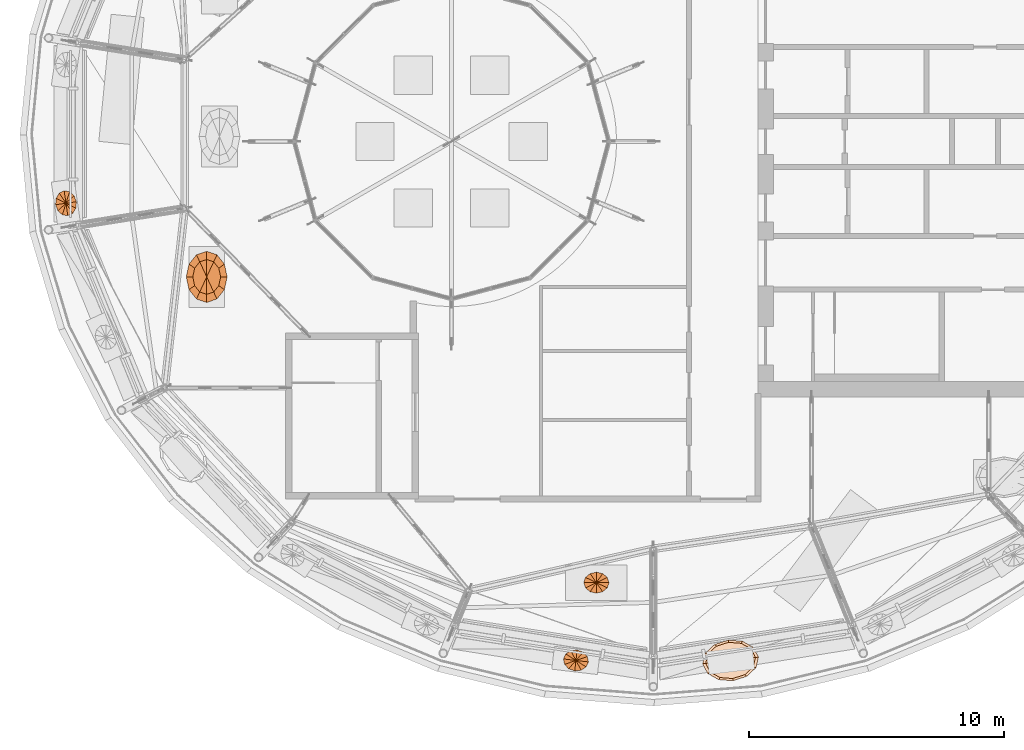
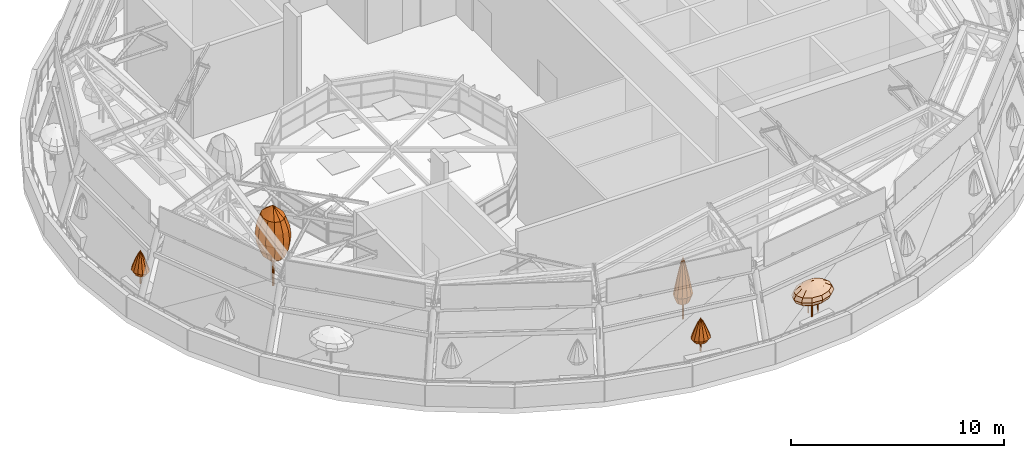
# One storey, part 33 of 40: 5 geographic elements.
"""IFC4 building model written with IfcOpenShell, lengths in metres."""

from ifc_helpers import new_model, si_unit, direction, frame, origin, place, context, subcontext, project, spatial, faceted_brep, material, constituent, constituent_set, type_object, element, save


model = new_model("IFC4")

# Units and contexts
model_context = context("Model", 3, precision=1e-05, world=origin(), true_north=direction((0.0, 1.0)))
body_context = subcontext(model_context, "Body", "Model", "MODEL_VIEW")
ifc_project = project(units=[si_unit("LENGTHUNIT", "METRE"), si_unit("AREAUNIT", "SQUARE_METRE"), si_unit("VOLUMEUNIT", "CUBIC_METRE"), si_unit("PLANEANGLEUNIT", "RADIAN"), si_unit("MASSUNIT", "GRAM", prefix="KILO")], contexts=[model_context])

# Site, building, storey
site_placement = place(None, origin())
site = spatial("IfcSite", under=ifc_project, at=site_placement, CompositionType="ELEMENT")
building_placement = place(site_placement, origin())
building = spatial("IfcBuilding", under=site, at=building_placement, Name="Taillehof Tower", CompositionType="ELEMENT")
storey_placement = place(building_placement, frame((0.0, 0.0, 275.199951171875)))
storey = spatial("IfcBuildingStorey", under=building, at=storey_placement, Name="L77", CompositionType="ELEMENT", Elevation=275.199951171875)

# Geographic elements
ifc_material_1 = material(Name="Tree bark", Category="timber")
ifc_constituent_1 = constituent(ifc_material_1, Name="Trunk", Category="timber")
ifc_material_2 = material(Name="Tree foliage")
ifc_constituent_2 = constituent(ifc_material_2, Name="Crown")
ifc_constituent_set_1 = constituent_set(constituents=[ifc_constituent_1, ifc_constituent_2], Name="Tree TR10 Scots pine standard")
geographic_element_type_1 = type_object("IfcGeographicElementType", Name="Tree TR10 Scots pine standard", PredefinedType="USERDEFINED", material=ifc_constituent_set_1)
geographic_element_1_placement = place(storey_placement, frame((-2.328125, -17.27490234375, 0.449951171875)))
element("IfcGeographicElement", 1, at=geographic_element_1_placement, inside=storey, type_object=geographic_element_type_1, Name="Tree TR10 Scots pine standard", ObjectType="TREE", PredefinedType="USERDEFINED", context=body_context, shape_type="Brep", body=[
    faceted_brep([(0.050048828125, 0.0, 0.0), (0.035400390625, 0.035400390625, 0.0), (0.035400390625, 0.035400390625, 1.909912109375), (0.050048828125, 0.0, 1.909912109375), (0.0, 0.050048828125, 0.0), (0.0, 0.050048828125, 1.909912109375), (-0.035400390625, 0.035400390625, 0.0), (-0.035400390625, 0.035400390625, 1.909912109375), (-0.050048828125, 0.0, 0.0), (-0.050048828125, 0.0, 1.909912109375), (-0.035400390625, -0.035400390625, 0.0), (-0.035400390625, -0.035400390625, 1.909912109375), (0.0, -0.050048828125, 0.0), (0.0, -0.050048828125, 1.909912109375), (0.035400390625, -0.035400390625, 0.0), (0.035400390625, -0.035400390625, 1.909912109375)], [[[0, 1, 2, 3]], [[1, 4, 5, 2]], [[4, 6, 7, 5]], [[6, 8, 9, 7]], [[8, 10, 11, 9]], [[10, 12, 13, 11]], [[12, 14, 15, 13]], [[14, 0, 3, 15]], [[14, 12, 10, 8, 6, 4, 1, 0]], [[3, 2, 5, 7, 9, 11, 13, 15]]]),
    faceted_brep([(0.330078125, 0.0, 1.0), (0.285888671875, 0.137451171875, 1.0), (0.4267578125, 0.205322265625, 1.433349609375), (0.49267578125, 0.0, 1.433349609375), (0.1650390625, 0.238037109375, 1.0), (0.246337890625, 0.35546875, 1.433349609375), (0.0, 0.27490234375, 1.0), (0.0, 0.41064453125, 1.433349609375), (-0.1650390625, 0.238037109375, 1.0), (-0.246337890625, 0.35546875, 1.433349609375), (-0.285888671875, 0.137451171875, 1.0), (-0.4267578125, 0.205322265625, 1.433349609375), (-0.330078125, 0.0, 1.0), (-0.49267578125, 0.0, 1.433349609375), (-0.285888671875, -0.137451171875, 1.0), (-0.4267578125, -0.205322265625, 1.433349609375), (-0.1650390625, -0.238037109375, 1.0), (-0.246337890625, -0.35546875, 1.433349609375), (0.0, -0.27490234375, 1.0), (0.0, -0.41064453125, 1.433349609375), (0.1650390625, -0.238037109375, 1.0), (0.246337890625, -0.35546875, 1.433349609375), (0.285888671875, -0.137451171875, 1.0), (0.4267578125, -0.205322265625, 1.433349609375), (0.35693359375, 0.171630859375, 1.86669921875), (0.412109375, 0.0, 1.86669921875), (0.2060546875, 0.29736328125, 1.86669921875), (0.0, 0.343505859375, 1.86669921875), (-0.2060546875, 0.29736328125, 1.86669921875), (-0.35693359375, 0.171630859375, 1.86669921875), (-0.412109375, 0.0, 1.86669921875), (-0.35693359375, -0.171630859375, 1.86669921875), (-0.2060546875, -0.29736328125, 1.86669921875), (0.0, -0.343505859375, 1.86669921875), (0.2060546875, -0.29736328125, 1.86669921875), (0.35693359375, -0.171630859375, 1.86669921875), (0.283447265625, 0.136474609375, 2.300048828125), (0.327392578125, 0.0, 2.300048828125), (0.16357421875, 0.236328125, 2.300048828125), (0.0, 0.272705078125, 2.300048828125), (-0.16357421875, 0.236328125, 2.300048828125), (-0.283447265625, 0.136474609375, 2.300048828125), (-0.327392578125, 0.0, 2.300048828125), (-0.283447265625, -0.136474609375, 2.300048828125), (-0.16357421875, -0.236328125, 2.300048828125), (0.0, -0.272705078125, 2.300048828125), (0.16357421875, -0.236328125, 2.300048828125), (0.283447265625, -0.136474609375, 2.300048828125), (0.205078125, 0.0986328125, 2.7333984375), (0.236572265625, 0.0, 2.7333984375), (0.118408203125, 0.1708984375, 2.7333984375), (0.0, 0.197265625, 2.7333984375), (-0.118408203125, 0.1708984375, 2.7333984375), (-0.205078125, 0.0986328125, 2.7333984375), (-0.236572265625, 0.0, 2.7333984375), (-0.205078125, -0.0986328125, 2.7333984375), (-0.118408203125, -0.1708984375, 2.7333984375), (0.0, -0.197265625, 2.7333984375), (0.118408203125, -0.1708984375, 2.7333984375), (0.205078125, -0.0986328125, 2.7333984375), (0.11767578125, 0.056640625, 3.166748046875), (0.135986328125, 0.0, 3.166748046875), (0.06787109375, 0.09814453125, 3.166748046875), (0.0, 0.11328125, 3.166748046875), (-0.06787109375, 0.09814453125, 3.166748046875), (-0.11767578125, 0.056640625, 3.166748046875), (-0.135986328125, 0.0, 3.166748046875), (-0.11767578125, -0.056640625, 3.166748046875), (-0.06787109375, -0.09814453125, 3.166748046875), (0.0, -0.11328125, 3.166748046875), (0.06787109375, -0.09814453125, 3.166748046875), (0.11767578125, -0.056640625, 3.166748046875), (0.0, 0.0, 3.60009765625)], [[[0, 1, 2, 3]], [[1, 4, 5, 2]], [[4, 6, 7, 5]], [[6, 8, 9, 7]], [[8, 10, 11, 9]], [[10, 12, 13, 11]], [[12, 14, 15, 13]], [[14, 16, 17, 15]], [[16, 18, 19, 17]], [[18, 20, 21, 19]], [[20, 22, 23, 21]], [[22, 0, 3, 23]], [[3, 2, 24, 25]], [[2, 5, 26, 24]], [[5, 7, 27, 26]], [[7, 9, 28, 27]], [[9, 11, 29, 28]], [[11, 13, 30, 29]], [[13, 15, 31, 30]], [[15, 17, 32, 31]], [[17, 19, 33, 32]], [[19, 21, 34, 33]], [[21, 23, 35, 34]], [[23, 3, 25, 35]], [[25, 24, 36, 37]], [[24, 26, 38, 36]], [[26, 27, 39, 38]], [[27, 28, 40, 39]], [[28, 29, 41, 40]], [[29, 30, 42, 41]], [[30, 31, 43, 42]], [[31, 32, 44, 43]], [[32, 33, 45, 44]], [[33, 34, 46, 45]], [[34, 35, 47, 46]], [[35, 25, 37, 47]], [[37, 36, 48, 49]], [[36, 38, 50, 48]], [[38, 39, 51, 50]], [[39, 40, 52, 51]], [[40, 41, 53, 52]], [[41, 42, 54, 53]], [[42, 43, 55, 54]], [[43, 44, 56, 55]], [[44, 45, 57, 56]], [[45, 46, 58, 57]], [[46, 47, 59, 58]], [[47, 37, 49, 59]], [[49, 48, 60, 61]], [[48, 50, 62, 60]], [[50, 51, 63, 62]], [[51, 52, 64, 63]], [[52, 53, 65, 64]], [[53, 54, 66, 65]], [[54, 55, 67, 66]], [[55, 56, 68, 67]], [[56, 57, 69, 68]], [[57, 58, 70, 69]], [[58, 59, 71, 70]], [[59, 49, 61, 71]], [[61, 60, 72]], [[60, 62, 72]], [[62, 63, 72]], [[63, 64, 72]], [[64, 65, 72]], [[65, 66, 72]], [[66, 67, 72]], [[67, 68, 72]], [[68, 69, 72]], [[69, 70, 72]], [[70, 71, 72]], [[71, 61, 72]], [[22, 20, 18, 16, 14, 12, 10, 8, 6, 4, 1, 0]]]),
])
geographic_element_2_placement = place(storey_placement, frame((-23.1015625, -2.414794921875, 0.75)))
element("IfcGeographicElement", 2, at=geographic_element_2_placement, inside=storey, type_object=geographic_element_type_1, Name="Tree TR10 Scots pine standard", ObjectType="TREE", PredefinedType="USERDEFINED", context=body_context, shape_type="Brep", body=[
    faceted_brep([(0.050048828125, 0.0, 0.0), (0.035400390625, 0.035400390625, 0.0), (0.035400390625, 0.035400390625, 1.035400390625), (0.050048828125, 0.0, 1.035400390625), (0.0, 0.050048828125, 0.0), (0.0, 0.050048828125, 1.035400390625), (-0.035400390625, 0.035400390625, 0.0), (-0.035400390625, 0.035400390625, 1.035400390625), (-0.050048828125, 0.0, 0.0), (-0.050048828125, 0.0, 1.035400390625), (-0.035400390625, -0.035400390625, 0.0), (-0.035400390625, -0.035400390625, 1.035400390625), (0.0, -0.050048828125, 0.0), (0.0, -0.050048828125, 1.035400390625), (0.035400390625, -0.035400390625, 0.0), (0.035400390625, -0.035400390625, 1.035400390625)], [[[0, 1, 2, 3]], [[1, 4, 5, 2]], [[4, 6, 7, 5]], [[6, 8, 9, 7]], [[8, 10, 11, 9]], [[10, 12, 13, 11]], [[12, 14, 15, 13]], [[14, 0, 3, 15]], [[14, 12, 10, 8, 6, 4, 1, 0]], [[3, 2, 5, 7, 9, 11, 13, 15]]]),
    faceted_brep([(0.0478515625, -0.326416015625, 0.570068359375), (0.177490234375, -0.2626953125, 0.570068359375), (0.26513671875, -0.392333984375, 0.791748046875), (0.071533203125, -0.4873046875, 0.791748046875), (0.259521484375, -0.128662109375, 0.570068359375), (0.387451171875, -0.192138671875, 0.791748046875), (0.27197265625, 0.0400390625, 0.570068359375), (0.40625, 0.0595703125, 0.791748046875), (0.211669921875, 0.19775390625, 0.570068359375), (0.31591796875, 0.29541015625, 0.791748046875), (0.094482421875, 0.302734375, 0.570068359375), (0.14111328125, 0.451904296875, 0.791748046875), (-0.0478515625, 0.326416015625, 0.570068359375), (-0.071533203125, 0.4873046875, 0.791748046875), (-0.177490234375, 0.2626953125, 0.570068359375), (-0.26513671875, 0.392333984375, 0.791748046875), (-0.259521484375, 0.128662109375, 0.570068359375), (-0.387451171875, 0.192138671875, 0.791748046875), (-0.27197265625, -0.0400390625, 0.570068359375), (-0.40625, -0.0595703125, 0.791748046875), (-0.211669921875, -0.19775390625, 0.570068359375), (-0.31591796875, -0.29541015625, 0.791748046875), (-0.094482421875, -0.302734375, 0.570068359375), (-0.14111328125, -0.451904296875, 0.791748046875), (0.2216796875, -0.328125, 1.013427734375), (0.059814453125, -0.40771484375, 1.013427734375), (0.32421875, -0.16064453125, 1.013427734375), (0.33984375, 0.0498046875, 1.013427734375), (0.264404296875, 0.2470703125, 1.013427734375), (0.117919921875, 0.3779296875, 1.013427734375), (-0.059814453125, 0.40771484375, 1.013427734375), (-0.2216796875, 0.328125, 1.013427734375), (-0.32421875, 0.16064453125, 1.013427734375), (-0.33984375, -0.0498046875, 1.013427734375), (-0.264404296875, -0.2470703125, 1.013427734375), (-0.117919921875, -0.3779296875, 1.013427734375), (0.17626953125, -0.2607421875, 1.235107421875), (0.047607421875, -0.323974609375, 1.235107421875), (0.257568359375, -0.127685546875, 1.235107421875), (0.27001953125, 0.03955078125, 1.235107421875), (0.2099609375, 0.1962890625, 1.235107421875), (0.09375, 0.30029296875, 1.235107421875), (-0.047607421875, 0.323974609375, 1.235107421875), (-0.17626953125, 0.2607421875, 1.235107421875), (-0.257568359375, 0.127685546875, 1.235107421875), (-0.27001953125, -0.03955078125, 1.235107421875), (-0.2099609375, -0.1962890625, 1.235107421875), (-0.09375, -0.30029296875, 1.235107421875), (0.12744140625, -0.1884765625, 1.456787109375), (0.034423828125, -0.234130859375, 1.456787109375), (0.186279296875, -0.09228515625, 1.456787109375), (0.195068359375, 0.028564453125, 1.456787109375), (0.15185546875, 0.141845703125, 1.456787109375), (0.06787109375, 0.217041015625, 1.456787109375), (-0.034423828125, 0.234130859375, 1.456787109375), (-0.12744140625, 0.1884765625, 1.456787109375), (-0.186279296875, 0.09228515625, 1.456787109375), (-0.195068359375, -0.028564453125, 1.456787109375), (-0.15185546875, -0.141845703125, 1.456787109375), (-0.06787109375, -0.217041015625, 1.456787109375), (0.0732421875, -0.108154296875, 1.67822265625), (0.019775390625, -0.134521484375, 1.67822265625), (0.10693359375, -0.052978515625, 1.67822265625), (0.112060546875, 0.016357421875, 1.67822265625), (0.087158203125, 0.08154296875, 1.67822265625), (0.038818359375, 0.124755859375, 1.67822265625), (-0.019775390625, 0.134521484375, 1.67822265625), (-0.0732421875, 0.108154296875, 1.67822265625), (-0.10693359375, 0.052978515625, 1.67822265625), (-0.112060546875, -0.016357421875, 1.67822265625), (-0.087158203125, -0.08154296875, 1.67822265625), (-0.038818359375, -0.124755859375, 1.67822265625), (0.0, 0.0, 1.89990234375)], [[[0, 1, 2, 3]], [[1, 4, 5, 2]], [[4, 6, 7, 5]], [[6, 8, 9, 7]], [[8, 10, 11, 9]], [[10, 12, 13, 11]], [[12, 14, 15, 13]], [[14, 16, 17, 15]], [[16, 18, 19, 17]], [[18, 20, 21, 19]], [[20, 22, 23, 21]], [[22, 0, 3, 23]], [[3, 2, 24, 25]], [[2, 5, 26, 24]], [[5, 7, 27, 26]], [[7, 9, 28, 27]], [[9, 11, 29, 28]], [[11, 13, 30, 29]], [[13, 15, 31, 30]], [[15, 17, 32, 31]], [[17, 19, 33, 32]], [[19, 21, 34, 33]], [[21, 23, 35, 34]], [[23, 3, 25, 35]], [[25, 24, 36, 37]], [[24, 26, 38, 36]], [[26, 27, 39, 38]], [[27, 28, 40, 39]], [[28, 29, 41, 40]], [[29, 30, 42, 41]], [[30, 31, 43, 42]], [[31, 32, 44, 43]], [[32, 33, 45, 44]], [[33, 34, 46, 45]], [[34, 35, 47, 46]], [[35, 25, 37, 47]], [[37, 36, 48, 49]], [[36, 38, 50, 48]], [[38, 39, 51, 50]], [[39, 40, 52, 51]], [[40, 41, 53, 52]], [[41, 42, 54, 53]], [[42, 43, 55, 54]], [[43, 44, 56, 55]], [[44, 45, 57, 56]], [[45, 46, 58, 57]], [[46, 47, 59, 58]], [[47, 37, 49, 59]], [[49, 48, 60, 61]], [[48, 50, 62, 60]], [[50, 51, 63, 62]], [[51, 52, 64, 63]], [[52, 53, 65, 64]], [[53, 54, 66, 65]], [[54, 55, 67, 66]], [[55, 56, 68, 67]], [[56, 57, 69, 68]], [[57, 58, 70, 69]], [[58, 59, 71, 70]], [[59, 49, 61, 71]], [[61, 60, 72]], [[60, 62, 72]], [[62, 63, 72]], [[63, 64, 72]], [[64, 65, 72]], [[65, 66, 72]], [[66, 67, 72]], [[67, 68, 72]], [[68, 69, 72]], [[69, 70, 72]], [[70, 71, 72]], [[71, 61, 72]], [[22, 20, 18, 16, 14, 12, 10, 8, 6, 4, 1, 0]]]),
])
geographic_element_3_placement = place(storey_placement, frame((-3.128173828125, -20.322021484375, 0.75)))
element("IfcGeographicElement", 3, at=geographic_element_3_placement, inside=storey, type_object=geographic_element_type_1, Name="Tree TR10 Scots pine standard", ObjectType="TREE", PredefinedType="USERDEFINED", context=body_context, shape_type="Brep", body=[
    faceted_brep([(0.050048828125, 0.0, 0.0), (0.035400390625, 0.035400390625, 0.0), (0.035400390625, 0.035400390625, 1.035400390625), (0.050048828125, 0.0, 1.035400390625), (0.0, 0.050048828125, 0.0), (0.0, 0.050048828125, 1.035400390625), (-0.035400390625, 0.035400390625, 0.0), (-0.035400390625, 0.035400390625, 1.035400390625), (-0.050048828125, 0.0, 0.0), (-0.050048828125, 0.0, 1.035400390625), (-0.035400390625, -0.035400390625, 0.0), (-0.035400390625, -0.035400390625, 1.035400390625), (0.0, -0.050048828125, 0.0), (0.0, -0.050048828125, 1.035400390625), (0.035400390625, -0.035400390625, 0.0), (0.035400390625, -0.035400390625, 1.035400390625)], [[[0, 1, 2, 3]], [[1, 4, 5, 2]], [[4, 6, 7, 5]], [[6, 8, 9, 7]], [[8, 10, 11, 9]], [[10, 12, 13, 11]], [[12, 14, 15, 13]], [[14, 0, 3, 15]], [[14, 12, 10, 8, 6, 4, 1, 0]], [[3, 2, 5, 7, 9, 11, 13, 15]]]),
    faceted_brep([(0.32763671875, -0.03857421875, 0.570068359375), (0.300048828125, 0.10302734375, 0.570068359375), (0.44775390625, 0.15380859375, 0.791748046875), (0.4892578125, -0.057861328125, 0.791748046875), (0.19189453125, 0.21728515625, 0.570068359375), (0.286376953125, 0.32421875, 0.791748046875), (0.0322265625, 0.273193359375, 0.570068359375), (0.048095703125, 0.40771484375, 0.791748046875), (-0.135986328125, 0.255859375, 0.570068359375), (-0.202880859375, 0.3818359375, 0.791748046875), (-0.267578125, 0.170166015625, 0.570068359375), (-0.399658203125, 0.25390625, 0.791748046875), (-0.32763671875, 0.03857421875, 0.570068359375), (-0.4892578125, 0.057861328125, 0.791748046875), (-0.300048828125, -0.10302734375, 0.570068359375), (-0.44775390625, -0.15380859375, 0.791748046875), (-0.19189453125, -0.21728515625, 0.570068359375), (-0.286376953125, -0.32421875, 0.791748046875), (-0.0322265625, -0.273193359375, 0.570068359375), (-0.048095703125, -0.40771484375, 0.791748046875), (0.135986328125, -0.255859375, 0.570068359375), (0.202880859375, -0.3818359375, 0.791748046875), (0.267578125, -0.170166015625, 0.570068359375), (0.399658203125, -0.25390625, 0.791748046875), (0.37451171875, 0.128662109375, 1.013427734375), (0.4091796875, -0.04833984375, 1.013427734375), (0.239501953125, 0.271240234375, 1.013427734375), (0.040283203125, 0.341064453125, 1.013427734375), (-0.169677734375, 0.319580078125, 1.013427734375), (-0.334228515625, 0.21240234375, 1.013427734375), (-0.4091796875, 0.04833984375, 1.013427734375), (-0.37451171875, -0.128662109375, 1.013427734375), (-0.239501953125, -0.271240234375, 1.013427734375), (-0.040283203125, -0.341064453125, 1.013427734375), (0.169677734375, -0.319580078125, 1.013427734375), (0.334228515625, -0.21240234375, 1.013427734375), (0.297607421875, 0.102294921875, 1.235107421875), (0.3251953125, -0.038330078125, 1.235107421875), (0.190185546875, 0.21533203125, 1.235107421875), (0.031982421875, 0.27099609375, 1.235107421875), (-0.134765625, 0.25390625, 1.235107421875), (-0.265625, 0.168701171875, 1.235107421875), (-0.3251953125, 0.038330078125, 1.235107421875), (-0.297607421875, -0.102294921875, 1.235107421875), (-0.190185546875, -0.21533203125, 1.235107421875), (-0.031982421875, -0.27099609375, 1.235107421875), (0.134765625, -0.25390625, 1.235107421875), (0.265625, -0.168701171875, 1.235107421875), (0.215087890625, 0.073974609375, 1.456787109375), (0.235107421875, -0.02783203125, 1.456787109375), (0.137451171875, 0.15576171875, 1.456787109375), (0.023193359375, 0.19580078125, 1.456787109375), (-0.097412109375, 0.18359375, 1.456787109375), (-0.19189453125, 0.1220703125, 1.456787109375), (-0.235107421875, 0.02783203125, 1.456787109375), (-0.215087890625, -0.073974609375, 1.456787109375), (-0.137451171875, -0.15576171875, 1.456787109375), (-0.023193359375, -0.19580078125, 1.456787109375), (0.097412109375, -0.18359375, 1.456787109375), (0.19189453125, -0.1220703125, 1.456787109375), (0.12353515625, 0.04248046875, 1.67822265625), (0.135009765625, -0.015869140625, 1.67822265625), (0.0791015625, 0.08935546875, 1.67822265625), (0.01318359375, 0.112548828125, 1.67822265625), (-0.055908203125, 0.10546875, 1.67822265625), (-0.1103515625, 0.070068359375, 1.67822265625), (-0.135009765625, 0.015869140625, 1.67822265625), (-0.12353515625, -0.04248046875, 1.67822265625), (-0.0791015625, -0.08935546875, 1.67822265625), (-0.01318359375, -0.112548828125, 1.67822265625), (0.055908203125, -0.10546875, 1.67822265625), (0.1103515625, -0.070068359375, 1.67822265625), (0.0, 0.0, 1.89990234375)], [[[0, 1, 2, 3]], [[1, 4, 5, 2]], [[4, 6, 7, 5]], [[6, 8, 9, 7]], [[8, 10, 11, 9]], [[10, 12, 13, 11]], [[12, 14, 15, 13]], [[14, 16, 17, 15]], [[16, 18, 19, 17]], [[18, 20, 21, 19]], [[20, 22, 23, 21]], [[22, 0, 3, 23]], [[3, 2, 24, 25]], [[2, 5, 26, 24]], [[5, 7, 27, 26]], [[7, 9, 28, 27]], [[9, 11, 29, 28]], [[11, 13, 30, 29]], [[13, 15, 31, 30]], [[15, 17, 32, 31]], [[17, 19, 33, 32]], [[19, 21, 34, 33]], [[21, 23, 35, 34]], [[23, 3, 25, 35]], [[25, 24, 36, 37]], [[24, 26, 38, 36]], [[26, 27, 39, 38]], [[27, 28, 40, 39]], [[28, 29, 41, 40]], [[29, 30, 42, 41]], [[30, 31, 43, 42]], [[31, 32, 44, 43]], [[32, 33, 45, 44]], [[33, 34, 46, 45]], [[34, 35, 47, 46]], [[35, 25, 37, 47]], [[37, 36, 48, 49]], [[36, 38, 50, 48]], [[38, 39, 51, 50]], [[39, 40, 52, 51]], [[40, 41, 53, 52]], [[41, 42, 54, 53]], [[42, 43, 55, 54]], [[43, 44, 56, 55]], [[44, 45, 57, 56]], [[45, 46, 58, 57]], [[46, 47, 59, 58]], [[47, 37, 49, 59]], [[49, 48, 60, 61]], [[48, 50, 62, 60]], [[50, 51, 63, 62]], [[51, 52, 64, 63]], [[52, 53, 65, 64]], [[53, 54, 66, 65]], [[54, 55, 67, 66]], [[55, 56, 68, 67]], [[56, 57, 69, 68]], [[57, 58, 70, 69]], [[58, 59, 71, 70]], [[59, 49, 61, 71]], [[61, 60, 72]], [[60, 62, 72]], [[62, 63, 72]], [[63, 64, 72]], [[64, 65, 72]], [[65, 66, 72]], [[66, 67, 72]], [[67, 68, 72]], [[68, 69, 72]], [[69, 70, 72]], [[70, 71, 72]], [[71, 61, 72]], [[22, 20, 18, 16, 14, 12, 10, 8, 6, 4, 1, 0]]]),
])
ifc_material_3 = material(Name="Tree bark", Category="timber")
ifc_constituent_3 = constituent(ifc_material_3, Name="Trunk", Category="timber")
ifc_material_4 = material(Name="Tree foliage")
ifc_constituent_4 = constituent(ifc_material_4, Name="Crown")
ifc_constituent_set_2 = constituent_set(constituents=[ifc_constituent_3, ifc_constituent_4], Name="Tree TR8 Persian ironwood")
geographic_element_type_2 = type_object("IfcGeographicElementType", Name="Tree TR8 Persian ironwood", PredefinedType="USERDEFINED", material=ifc_constituent_set_2)
geographic_element_4_placement = place(storey_placement, frame((-17.590087890625, -5.300048828125, 0.449951171875)))
element("IfcGeographicElement", 4, at=geographic_element_4_placement, inside=storey, type_object=geographic_element_type_2, Name="Tree TR8 Persian ironwood", ObjectType="TREE", PredefinedType="USERDEFINED", context=body_context, shape_type="Brep", body=[
    faceted_brep([(0.06005859375, 0.0, 0.0), (0.04248046875, 0.04248046875, 0.0), (0.04248046875, 0.04248046875, 2.455078125), (0.06005859375, 0.0, 2.455078125), (0.0, 0.06005859375, 0.0), (0.0, 0.06005859375, 2.455078125), (-0.04248046875, 0.04248046875, 0.0), (-0.04248046875, 0.04248046875, 2.455078125), (-0.06005859375, 0.0, 0.0), (-0.06005859375, 0.0, 2.455078125), (-0.04248046875, -0.04248046875, 0.0), (-0.04248046875, -0.04248046875, 2.455078125), (0.0, -0.06005859375, 0.0), (0.0, -0.06005859375, 2.455078125), (0.04248046875, -0.04248046875, 0.0), (0.04248046875, -0.04248046875, 2.455078125)], [[[0, 1, 2, 3]], [[1, 4, 5, 2]], [[4, 6, 7, 5]], [[6, 8, 9, 7]], [[8, 10, 11, 9]], [[10, 12, 13, 11]], [[12, 14, 15, 13]], [[14, 0, 3, 15]], [[14, 12, 10, 8, 6, 4, 1, 0]], [[3, 2, 5, 7, 9, 11, 13, 15]]]),
    faceted_brep([(0.0, 0.0, 1.300048828125), (-0.273193359375, 0.591552734375, 1.85009765625), (0.0, 0.68310546875, 1.85009765625), (-0.47314453125, 0.341552734375, 1.85009765625), (-0.54638671875, 0.0, 1.85009765625), (-0.47314453125, -0.341552734375, 1.85009765625), (-0.273193359375, -0.591552734375, 1.85009765625), (0.0, -0.68310546875, 1.85009765625), (0.273193359375, -0.591552734375, 1.85009765625), (0.47314453125, -0.341552734375, 1.85009765625), (0.54638671875, 0.0, 1.85009765625), (0.47314453125, 0.341552734375, 1.85009765625), (0.273193359375, 0.591552734375, 1.85009765625), (-0.36962890625, 0.800048828125, 2.39990234375), (0.0, 0.923828125, 2.39990234375), (-0.64013671875, 0.4619140625, 2.39990234375), (-0.7392578125, 0.0, 2.39990234375), (-0.64013671875, -0.4619140625, 2.39990234375), (-0.36962890625, -0.800048828125, 2.39990234375), (0.0, -0.923828125, 2.39990234375), (0.36962890625, -0.800048828125, 2.39990234375), (0.64013671875, -0.4619140625, 2.39990234375), (0.7392578125, 0.0, 2.39990234375), (0.64013671875, 0.4619140625, 2.39990234375), (0.36962890625, 0.800048828125, 2.39990234375), (-0.39990234375, 0.865966796875, 2.949951171875), (0.0, 1.0, 2.949951171875), (-0.69287109375, 0.5, 2.949951171875), (-0.800048828125, 0.0, 2.949951171875), (-0.69287109375, -0.5, 2.949951171875), (-0.39990234375, -0.865966796875, 2.949951171875), (0.0, -1.0, 2.949951171875), (0.39990234375, -0.865966796875, 2.949951171875), (0.69287109375, -0.5, 2.949951171875), (0.800048828125, 0.0, 2.949951171875), (0.69287109375, 0.5, 2.949951171875), (0.39990234375, 0.865966796875, 2.949951171875), (-0.36962890625, 0.800048828125, 3.5), (0.0, 0.923828125, 3.5), (-0.64013671875, 0.4619140625, 3.5), (-0.7392578125, 0.0, 3.5), (-0.64013671875, -0.4619140625, 3.5), (-0.36962890625, -0.800048828125, 3.5), (0.0, -0.923828125, 3.5), (0.36962890625, -0.800048828125, 3.5), (0.64013671875, -0.4619140625, 3.5), (0.7392578125, 0.0, 3.5), (0.64013671875, 0.4619140625, 3.5), (0.36962890625, 0.800048828125, 3.5), (-0.273193359375, 0.591552734375, 4.050048828125), (0.0, 0.68310546875, 4.050048828125), (-0.47314453125, 0.341552734375, 4.050048828125), (-0.54638671875, 0.0, 4.050048828125), (-0.47314453125, -0.341552734375, 4.050048828125), (-0.273193359375, -0.591552734375, 4.050048828125), (0.0, -0.68310546875, 4.050048828125), (0.273193359375, -0.591552734375, 4.050048828125), (0.47314453125, -0.341552734375, 4.050048828125), (0.54638671875, 0.0, 4.050048828125), (0.47314453125, 0.341552734375, 4.050048828125), (0.273193359375, 0.591552734375, 4.050048828125), (0.0, 0.0, 4.60009765625)], [[[0, 1, 2]], [[0, 3, 1]], [[0, 4, 3]], [[0, 5, 4]], [[0, 6, 5]], [[0, 7, 6]], [[0, 8, 7]], [[0, 9, 8]], [[0, 10, 9]], [[0, 11, 10]], [[0, 12, 11]], [[0, 2, 12]], [[2, 1, 13, 14]], [[1, 3, 15, 13]], [[3, 4, 16, 15]], [[4, 5, 17, 16]], [[5, 6, 18, 17]], [[6, 7, 19, 18]], [[7, 8, 20, 19]], [[8, 9, 21, 20]], [[9, 10, 22, 21]], [[10, 11, 23, 22]], [[11, 12, 24, 23]], [[12, 2, 14, 24]], [[14, 13, 25, 26]], [[13, 15, 27, 25]], [[15, 16, 28, 27]], [[16, 17, 29, 28]], [[17, 18, 30, 29]], [[18, 19, 31, 30]], [[19, 20, 32, 31]], [[20, 21, 33, 32]], [[21, 22, 34, 33]], [[22, 23, 35, 34]], [[23, 24, 36, 35]], [[24, 14, 26, 36]], [[26, 25, 37, 38]], [[25, 27, 39, 37]], [[27, 28, 40, 39]], [[28, 29, 41, 40]], [[29, 30, 42, 41]], [[30, 31, 43, 42]], [[31, 32, 44, 43]], [[32, 33, 45, 44]], [[33, 34, 46, 45]], [[34, 35, 47, 46]], [[35, 36, 48, 47]], [[36, 26, 38, 48]], [[38, 37, 49, 50]], [[37, 39, 51, 49]], [[39, 40, 52, 51]], [[40, 41, 53, 52]], [[41, 42, 54, 53]], [[42, 43, 55, 54]], [[43, 44, 56, 55]], [[44, 45, 57, 56]], [[45, 46, 58, 57]], [[46, 47, 59, 58]], [[47, 48, 60, 59]], [[48, 38, 50, 60]], [[50, 49, 61]], [[49, 51, 61]], [[51, 52, 61]], [[52, 53, 61]], [[53, 54, 61]], [[54, 55, 61]], [[55, 56, 61]], [[56, 57, 61]], [[57, 58, 61]], [[58, 59, 61]], [[59, 60, 61]], [[60, 50, 61]]]),
])
ifc_material_5 = material(Name="Tree bark", Category="timber")
ifc_constituent_5 = constituent(ifc_material_5, Name="Trunk", Category="timber")
ifc_material_6 = material(Name="Tree foliage")
ifc_constituent_6 = constituent(ifc_material_6, Name="Crown")
ifc_constituent_set_3 = constituent_set(constituents=[ifc_constituent_5, ifc_constituent_6], Name="Tree TR9 Multi-stem hawthorn")
geographic_element_type_3 = type_object("IfcGeographicElementType", Name="Tree TR9 Multi-stem hawthorn", PredefinedType="USERDEFINED", material=ifc_constituent_set_3)
geographic_element_5_placement = place(storey_placement, frame((2.92822265625, -20.322021484375, 0.75)))
element("IfcGeographicElement", 5, at=geographic_element_5_placement, inside=storey, type_object=geographic_element_type_3, Name="Tree TR9 Multi-stem hawthorn", ObjectType="TREE", PredefinedType="USERDEFINED", context=body_context, shape_type="Brep", body=[
    faceted_brep([(0.31982421875, 0.0, 0.0), (0.306640625, 0.03173828125, 0.0), (0.306640625, 0.03173828125, 1.035400390625), (0.31982421875, 0.0, 1.035400390625), (0.27490234375, 0.044921875, 0.0), (0.27490234375, 0.044921875, 1.035400390625), (0.2431640625, 0.03173828125, 0.0), (0.2431640625, 0.03173828125, 1.035400390625), (0.22998046875, 0.0, 0.0), (0.22998046875, 0.0, 1.035400390625), (0.2431640625, -0.03173828125, 0.0), (0.2431640625, -0.03173828125, 1.035400390625), (0.27490234375, -0.044921875, 0.0), (0.27490234375, -0.044921875, 1.035400390625), (0.306640625, -0.03173828125, 0.0), (0.306640625, -0.03173828125, 1.035400390625)], [[[0, 1, 2, 3]], [[1, 4, 5, 2]], [[4, 6, 7, 5]], [[6, 8, 9, 7]], [[8, 10, 11, 9]], [[10, 12, 13, 11]], [[12, 14, 15, 13]], [[14, 0, 3, 15]], [[14, 12, 10, 8, 6, 4, 1, 0]], [[3, 2, 5, 7, 9, 11, 13, 15]]]),
    faceted_brep([(-0.092529296875, 0.173095703125, 0.0), (-0.105712890625, 0.205078125, 0.0), (-0.105712890625, 0.205078125, 1.035400390625), (-0.092529296875, 0.173095703125, 1.035400390625), (-0.137451171875, 0.218017578125, 0.0), (-0.137451171875, 0.218017578125, 1.035400390625), (-0.169189453125, 0.205078125, 0.0), (-0.169189453125, 0.205078125, 1.035400390625), (-0.182373046875, 0.173095703125, 0.0), (-0.182373046875, 0.173095703125, 1.035400390625), (-0.169189453125, 0.141357421875, 0.0), (-0.169189453125, 0.141357421875, 1.035400390625), (-0.137451171875, 0.12841796875, 0.0), (-0.137451171875, 0.12841796875, 1.035400390625), (-0.105712890625, 0.141357421875, 0.0), (-0.105712890625, 0.141357421875, 1.035400390625)], [[[0, 1, 2, 3]], [[1, 4, 5, 2]], [[4, 6, 7, 5]], [[6, 8, 9, 7]], [[8, 10, 11, 9]], [[10, 12, 13, 11]], [[12, 14, 15, 13]], [[14, 0, 3, 15]], [[14, 12, 10, 8, 6, 4, 1, 0]], [[3, 2, 5, 7, 9, 11, 13, 15]]]),
    faceted_brep([(-0.092529296875, -0.173095703125, 0.0), (-0.105712890625, -0.141357421875, 0.0), (-0.105712890625, -0.141357421875, 1.035400390625), (-0.092529296875, -0.173095703125, 1.035400390625), (-0.137451171875, -0.12841796875, 0.0), (-0.137451171875, -0.12841796875, 1.035400390625), (-0.169189453125, -0.141357421875, 0.0), (-0.169189453125, -0.141357421875, 1.035400390625), (-0.182373046875, -0.173095703125, 0.0), (-0.182373046875, -0.173095703125, 1.035400390625), (-0.169189453125, -0.205078125, 0.0), (-0.169189453125, -0.205078125, 1.035400390625), (-0.137451171875, -0.218017578125, 0.0), (-0.137451171875, -0.218017578125, 1.035400390625), (-0.105712890625, -0.205078125, 0.0), (-0.105712890625, -0.205078125, 1.035400390625)], [[[0, 1, 2, 3]], [[1, 4, 5, 2]], [[4, 6, 7, 5]], [[6, 8, 9, 7]], [[8, 10, 11, 9]], [[10, 12, 13, 11]], [[12, 14, 15, 13]], [[14, 0, 3, 15]], [[14, 12, 10, 8, 6, 4, 1, 0]], [[3, 2, 5, 7, 9, 11, 13, 15]]]),
    faceted_brep([(0.0, 0.0, 0.570068359375), (0.516357421875, 0.292236328125, 0.791748046875), (0.62744140625, 0.073974609375, 0.791748046875), (0.26708984375, 0.43212890625, 0.791748046875), (-0.053955078125, 0.456298828125, 0.791748046875), (-0.3603515625, 0.358154296875, 0.791748046875), (-0.5703125, 0.1640625, 0.791748046875), (-0.62744140625, -0.073974609375, 0.791748046875), (-0.516357421875, -0.292236328125, 0.791748046875), (-0.26708984375, -0.43212890625, 0.791748046875), (0.053955078125, -0.456298828125, 0.791748046875), (0.3603515625, -0.358154296875, 0.791748046875), (0.5703125, -0.1640625, 0.791748046875), (0.801513671875, 0.45361328125, 1.013427734375), (0.9736328125, 0.114990234375, 1.013427734375), (0.41455078125, 0.670654296875, 1.013427734375), (-0.08349609375, 0.7080078125, 1.013427734375), (-0.559326171875, 0.555908203125, 1.013427734375), (-0.885009765625, 0.254638671875, 1.013427734375), (-0.9736328125, -0.114990234375, 1.013427734375), (-0.801513671875, -0.45361328125, 1.013427734375), (-0.41455078125, -0.670654296875, 1.013427734375), (0.08349609375, -0.7080078125, 1.013427734375), (0.559326171875, -0.555908203125, 1.013427734375), (0.885009765625, -0.254638671875, 1.013427734375), (0.899169921875, 0.509033203125, 1.235107421875), (1.092529296875, 0.12890625, 1.235107421875), (0.465087890625, 0.75244140625, 1.235107421875), (-0.09375, 0.79443359375, 1.235107421875), (-0.62744140625, 0.62353515625, 1.235107421875), (-0.992919921875, 0.28564453125, 1.235107421875), (-1.092529296875, -0.12890625, 1.235107421875), (-0.899169921875, -0.509033203125, 1.235107421875), (-0.465087890625, -0.75244140625, 1.235107421875), (0.09375, -0.79443359375, 1.235107421875), (0.62744140625, -0.62353515625, 1.235107421875), (0.992919921875, -0.28564453125, 1.235107421875), (0.801513671875, 0.45361328125, 1.456787109375), (0.9736328125, 0.114990234375, 1.456787109375), (0.41455078125, 0.670654296875, 1.456787109375), (-0.08349609375, 0.7080078125, 1.456787109375), (-0.559326171875, 0.555908203125, 1.456787109375), (-0.885009765625, 0.254638671875, 1.456787109375), (-0.9736328125, -0.114990234375, 1.456787109375), (-0.801513671875, -0.45361328125, 1.456787109375), (-0.41455078125, -0.670654296875, 1.456787109375), (0.08349609375, -0.7080078125, 1.456787109375), (0.559326171875, -0.555908203125, 1.456787109375), (0.885009765625, -0.254638671875, 1.456787109375), (0.516357421875, 0.292236328125, 1.67822265625), (0.62744140625, 0.073974609375, 1.67822265625), (0.26708984375, 0.43212890625, 1.67822265625), (-0.053955078125, 0.456298828125, 1.67822265625), (-0.3603515625, 0.358154296875, 1.67822265625), (-0.5703125, 0.1640625, 1.67822265625), (-0.62744140625, -0.073974609375, 1.67822265625), (-0.516357421875, -0.292236328125, 1.67822265625), (-0.26708984375, -0.43212890625, 1.67822265625), (0.053955078125, -0.456298828125, 1.67822265625), (0.3603515625, -0.358154296875, 1.67822265625), (0.5703125, -0.1640625, 1.67822265625), (0.0, 0.0, 1.89990234375)], [[[0, 1, 2]], [[0, 3, 1]], [[0, 4, 3]], [[0, 5, 4]], [[0, 6, 5]], [[0, 7, 6]], [[0, 8, 7]], [[0, 9, 8]], [[0, 10, 9]], [[0, 11, 10]], [[0, 12, 11]], [[0, 2, 12]], [[2, 1, 13, 14]], [[1, 3, 15, 13]], [[3, 4, 16, 15]], [[4, 5, 17, 16]], [[5, 6, 18, 17]], [[6, 7, 19, 18]], [[7, 8, 20, 19]], [[8, 9, 21, 20]], [[9, 10, 22, 21]], [[10, 11, 23, 22]], [[11, 12, 24, 23]], [[12, 2, 14, 24]], [[14, 13, 25, 26]], [[13, 15, 27, 25]], [[15, 16, 28, 27]], [[16, 17, 29, 28]], [[17, 18, 30, 29]], [[18, 19, 31, 30]], [[19, 20, 32, 31]], [[20, 21, 33, 32]], [[21, 22, 34, 33]], [[22, 23, 35, 34]], [[23, 24, 36, 35]], [[24, 14, 26, 36]], [[26, 25, 37, 38]], [[25, 27, 39, 37]], [[27, 28, 40, 39]], [[28, 29, 41, 40]], [[29, 30, 42, 41]], [[30, 31, 43, 42]], [[31, 32, 44, 43]], [[32, 33, 45, 44]], [[33, 34, 46, 45]], [[34, 35, 47, 46]], [[35, 36, 48, 47]], [[36, 26, 38, 48]], [[38, 37, 49, 50]], [[37, 39, 51, 49]], [[39, 40, 52, 51]], [[40, 41, 53, 52]], [[41, 42, 54, 53]], [[42, 43, 55, 54]], [[43, 44, 56, 55]], [[44, 45, 57, 56]], [[45, 46, 58, 57]], [[46, 47, 59, 58]], [[47, 48, 60, 59]], [[48, 38, 50, 60]], [[50, 49, 61]], [[49, 51, 61]], [[51, 52, 61]], [[52, 53, 61]], [[53, 54, 61]], [[54, 55, 61]], [[55, 56, 61]], [[56, 57, 61]], [[57, 58, 61]], [[58, 59, 61]], [[59, 60, 61]], [[60, 50, 61]]]),
])

save(model, "model.ifc")
